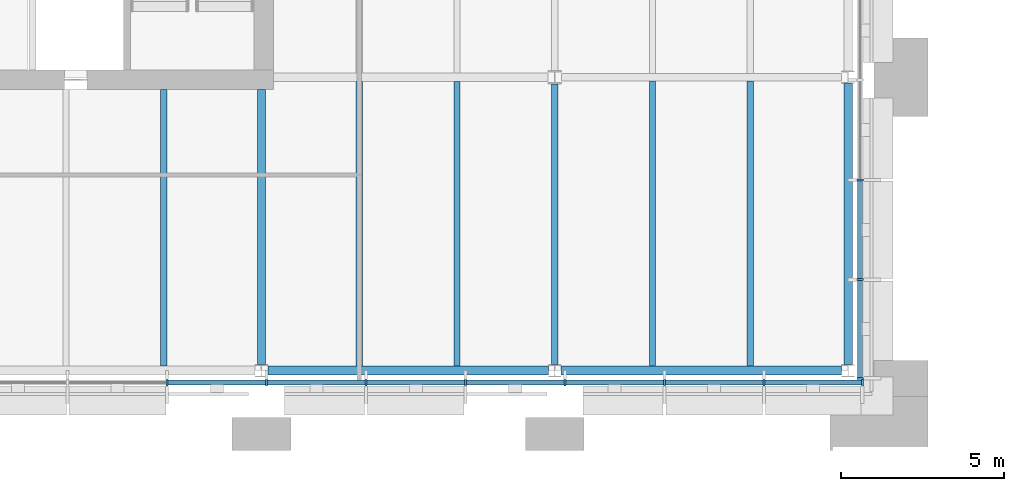
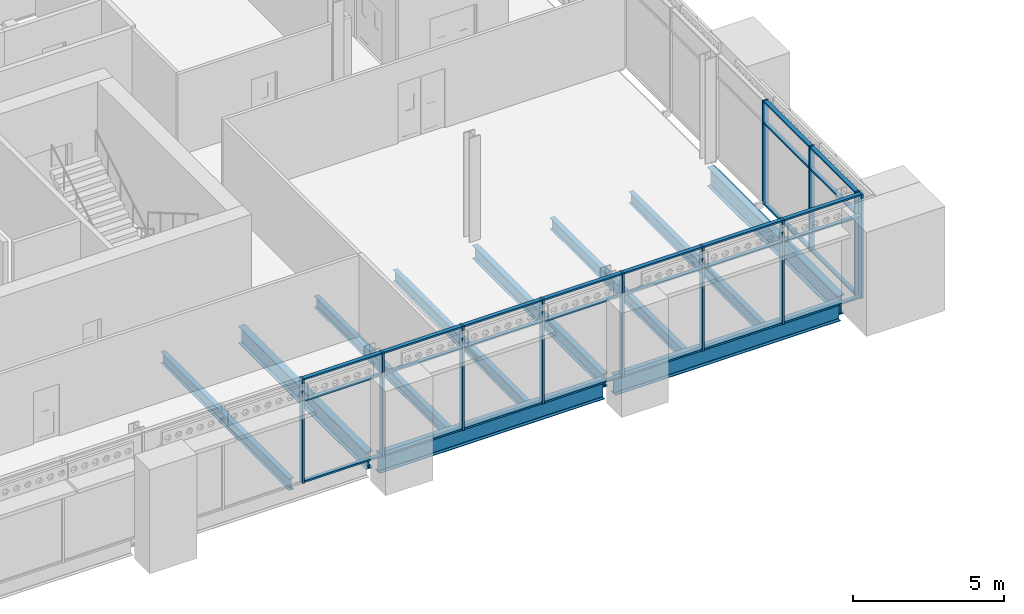
# One storey, part 10 of 54: 38 members, 10 beams, 2 elements without a shape of their own.
"""IFC4 building model written with IfcOpenShell, lengths in metres."""

from ifc_helpers import new_model, si_unit, direction, frame, origin, origin_2d, place, context, subcontext, project, spatial, rectangle, i_section, extrude, material, material_profile, profile_set, type_object, element, aggregate, save


model = new_model("IFC4")

# Units and contexts
model_context = context("Model", 3, precision=1e-05, world=origin(), true_north=direction((0.0, 1.0)))
body_context = subcontext(model_context, "Body", "Model", "MODEL_VIEW")
ifc_project = project(units=[si_unit("LENGTHUNIT", "METRE"), si_unit("AREAUNIT", "SQUARE_METRE"), si_unit("VOLUMEUNIT", "CUBIC_METRE"), si_unit("PLANEANGLEUNIT", "RADIAN"), si_unit("MASSUNIT", "GRAM", prefix="KILO")], contexts=[model_context])

# Site, building, storey
site_placement = place(None, origin())
site = spatial("IfcSite", under=ifc_project, at=site_placement, CompositionType="ELEMENT")
building_placement = place(site_placement, origin())
building = spatial("IfcBuilding", under=site, at=building_placement, Name="Baradari Gate Terminus", CompositionType="ELEMENT")
storey_placement = place(building_placement, frame((0.0, 0.0, 15.89990234375)))
storey = spatial("IfcBuildingStorey", under=building, at=storey_placement, Name="L03", CompositionType="ELEMENT", Elevation=15.89990234375)

# Curtain wall, members
ifc_material_1 = material(Name="Aluminium 6063-T6", Category="aluminium")
curtain_wall_type = type_object("IfcCurtainWallType", Name="Curtain wall CW-1 block unitised, zone L02-L05", PredefinedType="NOTDEFINED", material=ifc_material_1)
curtain_wall_1_placement = place(storey_placement, origin())
curtain_wall_1 = element("IfcCurtainWall", 1, at=curtain_wall_1_placement, inside=storey, type_object=curtain_wall_type, Name="Curtain wall CW-1 Operations block S face L03", PredefinedType="NOTDEFINED")
ifc_material_2 = material(Name="Aluminium 6063-T6", Category="aluminium")
ifc_material_profile_1 = material_profile(ifc_material_2, rectangle(XDim=0.199951171875, YDim=0.06494140625, at=origin_2d()), Name="CM-1 65X200")
ifc_profile_set_1 = profile_set([ifc_material_profile_1], Name="Aluminium 6063-T6")
member_type_1 = type_object("IfcMemberType", Name="Curtain wall mullion CM-1 65x200", PredefinedType="MULLION", material=ifc_profile_set_1)
member_1_placement = place(storey_placement, frame((42.1044921875, 116.6298828125, 0.0), z_axis=(0.0, 0.0, 1.0), x_axis=(0.0, 1.0, 0.0)))
member_1 = element("IfcMember", 2, at=member_1_placement, type_object=member_type_1, Name="CW-1 mullion 12", PredefinedType="MULLION", context=body_context, shape_type="SweptSolid", body=[
    extrude(rectangle(XDim=0.199951171875, YDim=0.06494140625, at=origin_2d()), origin(), (0.0, 0.0, 1.0), 4.2001953125),
])
member_2_placement = place(storey_placement, frame((45.15673828125, 116.6298828125, 0.0), z_axis=(0.0, 0.0, 1.0), x_axis=(0.0, 1.0, 0.0)))
member_2 = element("IfcMember", 3, at=member_2_placement, type_object=member_type_1, Name="CW-1 mullion 13", PredefinedType="MULLION", context=body_context, shape_type="SweptSolid", body=[
    extrude(rectangle(XDim=0.199951171875, YDim=0.06494140625, at=origin_2d()), origin(), (0.0, 0.0, 1.0), 4.2001953125),
])
member_3_placement = place(storey_placement, frame((48.208984375, 116.6298828125, 0.0), z_axis=(0.0, 0.0, 1.0), x_axis=(0.0, 1.0, 0.0)))
member_3 = element("IfcMember", 4, at=member_3_placement, type_object=member_type_1, Name="CW-1 mullion 14", PredefinedType="MULLION", context=body_context, shape_type="SweptSolid", body=[
    extrude(rectangle(XDim=0.199951171875, YDim=0.06494140625, at=origin_2d()), origin(), (0.0, 0.0, 1.0), 4.2001953125),
])
member_4_placement = place(storey_placement, frame((51.26123046875, 116.6298828125, 0.0), z_axis=(0.0, 0.0, 1.0), x_axis=(0.0, 1.0, 0.0)))
member_4 = element("IfcMember", 5, at=member_4_placement, type_object=member_type_1, Name="CW-1 mullion 15", PredefinedType="MULLION", context=body_context, shape_type="SweptSolid", body=[
    extrude(rectangle(XDim=0.199951171875, YDim=0.06494140625, at=origin_2d()), origin(), (0.0, 0.0, 1.0), 4.2001953125),
])
member_5_placement = place(storey_placement, frame((54.313232421875, 116.6298828125, 0.0), z_axis=(0.0, 0.0, 1.0), x_axis=(0.0, 1.0, 0.0)))
member_5 = element("IfcMember", 6, at=member_5_placement, type_object=member_type_1, Name="CW-1 mullion 16", PredefinedType="MULLION", context=body_context, shape_type="SweptSolid", body=[
    extrude(rectangle(XDim=0.199951171875, YDim=0.06494140625, at=origin_2d()), origin(), (0.0, 0.0, 1.0), 4.2001953125),
])
member_6_placement = place(storey_placement, frame((57.365478515625, 116.6298828125, 0.0), z_axis=(0.0, 0.0, 1.0), x_axis=(0.0, 1.0, 0.0)))
member_6 = element("IfcMember", 7, at=member_6_placement, type_object=member_type_1, Name="CW-1 mullion 17", PredefinedType="MULLION", context=body_context, shape_type="SweptSolid", body=[
    extrude(rectangle(XDim=0.199951171875, YDim=0.06494140625, at=origin_2d()), origin(), (0.0, 0.0, 1.0), 4.2001953125),
])
member_7_placement = place(storey_placement, frame((60.417724609375, 116.6298828125, 0.0), z_axis=(0.0, 0.0, 1.0), x_axis=(0.0, 1.0, 0.0)))
member_7 = element("IfcMember", 8, at=member_7_placement, type_object=member_type_1, Name="CW-1 mullion 18", PredefinedType="MULLION", context=body_context, shape_type="SweptSolid", body=[
    extrude(rectangle(XDim=0.199951171875, YDim=0.06494140625, at=origin_2d()), origin(), (0.0, 0.0, 1.0), 4.2001953125),
])
member_8_placement = place(storey_placement, frame((63.4375, 116.6298828125, 0.0), z_axis=(0.0, 0.0, 1.0), x_axis=(0.0, 1.0, 0.0)))
member_8 = element("IfcMember", 9, at=member_8_placement, type_object=member_type_1, Name="CW-1 mullion 19", PredefinedType="MULLION", context=body_context, shape_type="SweptSolid", body=[
    extrude(rectangle(XDim=0.199951171875, YDim=0.06494140625, at=origin_2d()), origin(), (0.0, 0.0, 1.0), 4.2001953125),
])

curtain_wall_2_placement = place(storey_placement, origin())
curtain_wall_2 = element("IfcCurtainWall", 10, at=curtain_wall_2_placement, inside=storey, type_object=curtain_wall_type, Name="Curtain wall CW-1 Operations block E face L03", PredefinedType="NOTDEFINED")
member_9_placement = place(storey_placement, frame((63.3701171875, 116.762451171875, 0.0), z_axis=(0.0, 0.0, 1.0), x_axis=(-1.0, 0.0, 0.0)))
member_9 = element("IfcMember", 11, at=member_9_placement, type_object=member_type_1, Name="CW-1 mullion 1", PredefinedType="MULLION", context=body_context, shape_type="SweptSolid", body=[
    extrude(rectangle(XDim=0.199951171875, YDim=0.06494140625, at=origin_2d()), origin(), (0.0, 0.0, 1.0), 4.2001953125),
])
member_10_placement = place(storey_placement, frame((63.3701171875, 119.7900390625, 0.0), z_axis=(0.0, 0.0, 1.0), x_axis=(-1.0, 0.0, 0.0)))
member_10 = element("IfcMember", 12, at=member_10_placement, type_object=member_type_1, Name="CW-1 mullion 2", PredefinedType="MULLION", context=body_context, shape_type="SweptSolid", body=[
    extrude(rectangle(XDim=0.199951171875, YDim=0.06494140625, at=origin_2d()), origin(), (0.0, 0.0, 1.0), 4.2001953125),
])
member_11_placement = place(storey_placement, frame((63.3701171875, 122.85009765625, 0.0), z_axis=(0.0, 0.0, 1.0), x_axis=(-1.0, 0.0, 0.0)))
member_11 = element("IfcMember", 13, at=member_11_placement, type_object=member_type_1, Name="CW-1 mullion 3", PredefinedType="MULLION", context=body_context, shape_type="SweptSolid", body=[
    extrude(rectangle(XDim=0.199951171875, YDim=0.06494140625, at=origin_2d()), origin(), (0.0, 0.0, 1.0), 4.2001953125),
])

# Member
ifc_material_3 = material(Name="Aluminium 6063-T6", Category="aluminium")
ifc_material_profile_2 = material_profile(ifc_material_3, rectangle(XDim=0.14990234375, YDim=0.06494140625, at=origin_2d()), Name="CT-1 65X150")
ifc_profile_set_2 = profile_set([ifc_material_profile_2], Name="Aluminium 6063-T6")
member_type_2 = type_object("IfcMemberType", Name="Curtain wall transom CT-1 65x150", PredefinedType="USERDEFINED", material=ifc_profile_set_2)
member_12_placement = place(storey_placement, frame((42.136962890625, 116.6298828125, 0.03271484375), z_axis=(1.0, 0.0, 0.0), x_axis=(0.0, 1.0, 0.0)))
member_12 = element("IfcMember", 14, at=member_12_placement, type_object=member_type_2, Name="CW-1 transom 12.1", ObjectType="TRANSOM", PredefinedType="USERDEFINED", context=body_context, shape_type="SweptSolid", body=[
    extrude(rectangle(XDim=0.14990234375, YDim=0.06494140625, at=origin_2d()), origin(), (0.0, 0.0, 1.0), 2.9873046875),
])

member_13_placement = place(storey_placement, frame((42.136962890625, 116.6298828125, 3.300048828125), z_axis=(1.0, 0.0, 0.0), x_axis=(0.0, 1.0, 0.0)))
member_13 = element("IfcMember", 15, at=member_13_placement, type_object=member_type_2, Name="CW-1 transom 12.2", ObjectType="TRANSOM", PredefinedType="USERDEFINED", context=body_context, shape_type="SweptSolid", body=[
    extrude(rectangle(XDim=0.14990234375, YDim=0.06494140625, at=origin_2d()), origin(), (0.0, 0.0, 1.0), 2.9873046875),
])

member_14_placement = place(storey_placement, frame((42.136962890625, 116.6298828125, 4.16748046875), z_axis=(1.0, 0.0, 0.0), x_axis=(0.0, 1.0, 0.0)))
member_14 = element("IfcMember", 16, at=member_14_placement, type_object=member_type_2, Name="CW-1 transom 12.3", ObjectType="TRANSOM", PredefinedType="USERDEFINED", context=body_context, shape_type="SweptSolid", body=[
    extrude(rectangle(XDim=0.14990234375, YDim=0.06494140625, at=origin_2d()), origin(), (0.0, 0.0, 1.0), 2.9873046875),
])

member_15_placement = place(storey_placement, frame((45.189208984375, 116.6298828125, 0.03271484375), z_axis=(1.0, 0.0, 0.0), x_axis=(0.0, 1.0, 0.0)))
member_15 = element("IfcMember", 17, at=member_15_placement, type_object=member_type_2, Name="CW-1 transom 13.1", ObjectType="TRANSOM", PredefinedType="USERDEFINED", context=body_context, shape_type="SweptSolid", body=[
    extrude(rectangle(XDim=0.14990234375, YDim=0.06494140625, at=origin_2d()), origin(), (0.0, 0.0, 1.0), 2.987060546875),
])

member_16_placement = place(storey_placement, frame((45.189208984375, 116.6298828125, 3.300048828125), z_axis=(1.0, 0.0, 0.0), x_axis=(0.0, 1.0, 0.0)))
member_16 = element("IfcMember", 18, at=member_16_placement, type_object=member_type_2, Name="CW-1 transom 13.2", ObjectType="TRANSOM", PredefinedType="USERDEFINED", context=body_context, shape_type="SweptSolid", body=[
    extrude(rectangle(XDim=0.14990234375, YDim=0.06494140625, at=origin_2d()), origin(), (0.0, 0.0, 1.0), 2.987060546875),
])

member_17_placement = place(storey_placement, frame((45.189208984375, 116.6298828125, 4.16748046875), z_axis=(1.0, 0.0, 0.0), x_axis=(0.0, 1.0, 0.0)))
member_17 = element("IfcMember", 19, at=member_17_placement, type_object=member_type_2, Name="CW-1 transom 13.3", ObjectType="TRANSOM", PredefinedType="USERDEFINED", context=body_context, shape_type="SweptSolid", body=[
    extrude(rectangle(XDim=0.14990234375, YDim=0.06494140625, at=origin_2d()), origin(), (0.0, 0.0, 1.0), 2.987060546875),
])

member_18_placement = place(storey_placement, frame((48.241455078125, 116.6298828125, 0.03271484375), z_axis=(1.0, 0.0, 0.0), x_axis=(0.0, 1.0, 0.0)))
member_18 = element("IfcMember", 20, at=member_18_placement, type_object=member_type_2, Name="CW-1 transom 14.1", ObjectType="TRANSOM", PredefinedType="USERDEFINED", context=body_context, shape_type="SweptSolid", body=[
    extrude(rectangle(XDim=0.14990234375, YDim=0.06494140625, at=origin_2d()), origin(), (0.0, 0.0, 1.0), 2.987060546875),
])

member_19_placement = place(storey_placement, frame((48.241455078125, 116.6298828125, 3.300048828125), z_axis=(1.0, 0.0, 0.0), x_axis=(0.0, 1.0, 0.0)))
member_19 = element("IfcMember", 21, at=member_19_placement, type_object=member_type_2, Name="CW-1 transom 14.2", ObjectType="TRANSOM", PredefinedType="USERDEFINED", context=body_context, shape_type="SweptSolid", body=[
    extrude(rectangle(XDim=0.14990234375, YDim=0.06494140625, at=origin_2d()), origin(), (0.0, 0.0, 1.0), 2.987060546875),
])

member_20_placement = place(storey_placement, frame((48.241455078125, 116.6298828125, 4.16748046875), z_axis=(1.0, 0.0, 0.0), x_axis=(0.0, 1.0, 0.0)))
member_20 = element("IfcMember", 22, at=member_20_placement, type_object=member_type_2, Name="CW-1 transom 14.3", ObjectType="TRANSOM", PredefinedType="USERDEFINED", context=body_context, shape_type="SweptSolid", body=[
    extrude(rectangle(XDim=0.14990234375, YDim=0.06494140625, at=origin_2d()), origin(), (0.0, 0.0, 1.0), 2.987060546875),
])

member_21_placement = place(storey_placement, frame((51.293701171875, 116.6298828125, 0.03271484375), z_axis=(1.0, 0.0, 0.0), x_axis=(0.0, 1.0, 0.0)))
member_21 = element("IfcMember", 23, at=member_21_placement, type_object=member_type_2, Name="CW-1 transom 15.1", ObjectType="TRANSOM", PredefinedType="USERDEFINED", context=body_context, shape_type="SweptSolid", body=[
    extrude(rectangle(XDim=0.14990234375, YDim=0.06494140625, at=origin_2d()), origin(), (0.0, 0.0, 1.0), 2.987060546875),
])

member_22_placement = place(storey_placement, frame((51.293701171875, 116.6298828125, 3.300048828125), z_axis=(1.0, 0.0, 0.0), x_axis=(0.0, 1.0, 0.0)))
member_22 = element("IfcMember", 24, at=member_22_placement, type_object=member_type_2, Name="CW-1 transom 15.2", ObjectType="TRANSOM", PredefinedType="USERDEFINED", context=body_context, shape_type="SweptSolid", body=[
    extrude(rectangle(XDim=0.14990234375, YDim=0.06494140625, at=origin_2d()), origin(), (0.0, 0.0, 1.0), 2.987060546875),
])

member_23_placement = place(storey_placement, frame((51.293701171875, 116.6298828125, 4.16748046875), z_axis=(1.0, 0.0, 0.0), x_axis=(0.0, 1.0, 0.0)))
member_23 = element("IfcMember", 25, at=member_23_placement, type_object=member_type_2, Name="CW-1 transom 15.3", ObjectType="TRANSOM", PredefinedType="USERDEFINED", context=body_context, shape_type="SweptSolid", body=[
    extrude(rectangle(XDim=0.14990234375, YDim=0.06494140625, at=origin_2d()), origin(), (0.0, 0.0, 1.0), 2.987060546875),
])

member_24_placement = place(storey_placement, frame((54.345947265625, 116.6298828125, 0.03271484375), z_axis=(1.0, 0.0, 0.0), x_axis=(0.0, 1.0, 0.0)))
member_24 = element("IfcMember", 26, at=member_24_placement, type_object=member_type_2, Name="CW-1 transom 16.1", ObjectType="TRANSOM", PredefinedType="USERDEFINED", context=body_context, shape_type="SweptSolid", body=[
    extrude(rectangle(XDim=0.14990234375, YDim=0.06494140625, at=origin_2d()), origin(), (0.0, 0.0, 1.0), 2.987060546875),
])

member_25_placement = place(storey_placement, frame((54.345947265625, 116.6298828125, 3.300048828125), z_axis=(1.0, 0.0, 0.0), x_axis=(0.0, 1.0, 0.0)))
member_25 = element("IfcMember", 27, at=member_25_placement, type_object=member_type_2, Name="CW-1 transom 16.2", ObjectType="TRANSOM", PredefinedType="USERDEFINED", context=body_context, shape_type="SweptSolid", body=[
    extrude(rectangle(XDim=0.14990234375, YDim=0.06494140625, at=origin_2d()), origin(), (0.0, 0.0, 1.0), 2.987060546875),
])

member_26_placement = place(storey_placement, frame((54.345947265625, 116.6298828125, 4.16748046875), z_axis=(1.0, 0.0, 0.0), x_axis=(0.0, 1.0, 0.0)))
member_26 = element("IfcMember", 28, at=member_26_placement, type_object=member_type_2, Name="CW-1 transom 16.3", ObjectType="TRANSOM", PredefinedType="USERDEFINED", context=body_context, shape_type="SweptSolid", body=[
    extrude(rectangle(XDim=0.14990234375, YDim=0.06494140625, at=origin_2d()), origin(), (0.0, 0.0, 1.0), 2.987060546875),
])

member_27_placement = place(storey_placement, frame((57.39794921875, 116.6298828125, 0.03271484375), z_axis=(1.0, 0.0, 0.0), x_axis=(0.0, 1.0, 0.0)))
member_27 = element("IfcMember", 29, at=member_27_placement, type_object=member_type_2, Name="CW-1 transom 17.1", ObjectType="TRANSOM", PredefinedType="USERDEFINED", context=body_context, shape_type="SweptSolid", body=[
    extrude(rectangle(XDim=0.14990234375, YDim=0.06494140625, at=origin_2d()), origin(), (0.0, 0.0, 1.0), 2.9873046875),
])

member_28_placement = place(storey_placement, frame((57.39794921875, 116.6298828125, 3.300048828125), z_axis=(1.0, 0.0, 0.0), x_axis=(0.0, 1.0, 0.0)))
member_28 = element("IfcMember", 30, at=member_28_placement, type_object=member_type_2, Name="CW-1 transom 17.2", ObjectType="TRANSOM", PredefinedType="USERDEFINED", context=body_context, shape_type="SweptSolid", body=[
    extrude(rectangle(XDim=0.14990234375, YDim=0.06494140625, at=origin_2d()), origin(), (0.0, 0.0, 1.0), 2.9873046875),
])

member_29_placement = place(storey_placement, frame((57.39794921875, 116.6298828125, 4.16748046875), z_axis=(1.0, 0.0, 0.0), x_axis=(0.0, 1.0, 0.0)))
member_29 = element("IfcMember", 31, at=member_29_placement, type_object=member_type_2, Name="CW-1 transom 17.3", ObjectType="TRANSOM", PredefinedType="USERDEFINED", context=body_context, shape_type="SweptSolid", body=[
    extrude(rectangle(XDim=0.14990234375, YDim=0.06494140625, at=origin_2d()), origin(), (0.0, 0.0, 1.0), 2.9873046875),
])

member_30_placement = place(storey_placement, frame((60.4501953125, 116.6298828125, 0.03271484375), z_axis=(1.0, 0.0, 0.0), x_axis=(0.0, 1.0, 0.0)))
member_30 = element("IfcMember", 32, at=member_30_placement, type_object=member_type_2, Name="CW-1 transom 18.1", ObjectType="TRANSOM", PredefinedType="USERDEFINED", context=body_context, shape_type="SweptSolid", body=[
    extrude(rectangle(XDim=0.14990234375, YDim=0.06494140625, at=origin_2d()), origin(), (0.0, 0.0, 1.0), 2.954833984375),
])

member_31_placement = place(storey_placement, frame((60.4501953125, 116.6298828125, 3.300048828125), z_axis=(1.0, 0.0, 0.0), x_axis=(0.0, 1.0, 0.0)))
member_31 = element("IfcMember", 33, at=member_31_placement, type_object=member_type_2, Name="CW-1 transom 18.2", ObjectType="TRANSOM", PredefinedType="USERDEFINED", context=body_context, shape_type="SweptSolid", body=[
    extrude(rectangle(XDim=0.14990234375, YDim=0.06494140625, at=origin_2d()), origin(), (0.0, 0.0, 1.0), 2.954833984375),
])

member_32_placement = place(storey_placement, frame((60.4501953125, 116.6298828125, 4.16748046875), z_axis=(1.0, 0.0, 0.0), x_axis=(0.0, 1.0, 0.0)))
member_32 = element("IfcMember", 34, at=member_32_placement, type_object=member_type_2, Name="CW-1 transom 18.3", ObjectType="TRANSOM", PredefinedType="USERDEFINED", context=body_context, shape_type="SweptSolid", body=[
    extrude(rectangle(XDim=0.14990234375, YDim=0.06494140625, at=origin_2d()), origin(), (0.0, 0.0, 1.0), 2.954833984375),
])

aggregate(curtain_wall_1, [member_1, member_2, member_3, member_4, member_5, member_6, member_7, member_8, member_12, member_13, member_14, member_15, member_16, member_17, member_18, member_19, member_20, member_21, member_22, member_23, member_24, member_25, member_26, member_27, member_28, member_29, member_30, member_31, member_32])

member_33_placement = place(storey_placement, frame((63.3701171875, 116.794921875, 0.03271484375), z_axis=(0.0, 1.0, 0.0), x_axis=(-1.0, 0.0, 0.0)))
member_33 = element("IfcMember", 35, at=member_33_placement, type_object=member_type_2, Name="CW-1 transom 1.1", ObjectType="TRANSOM", PredefinedType="USERDEFINED", context=body_context, shape_type="SweptSolid", body=[
    extrude(rectangle(XDim=0.14990234375, YDim=0.06494140625, at=origin_2d()), origin(), (0.0, 0.0, 1.0), 2.962646484375),
])

member_34_placement = place(storey_placement, frame((63.3701171875, 116.794921875, 3.300048828125), z_axis=(0.0, 1.0, 0.0), x_axis=(-1.0, 0.0, 0.0)))
member_34 = element("IfcMember", 36, at=member_34_placement, type_object=member_type_2, Name="CW-1 transom 1.2", ObjectType="TRANSOM", PredefinedType="USERDEFINED", context=body_context, shape_type="SweptSolid", body=[
    extrude(rectangle(XDim=0.14990234375, YDim=0.06494140625, at=origin_2d()), origin(), (0.0, 0.0, 1.0), 2.962646484375),
])

member_35_placement = place(storey_placement, frame((63.3701171875, 116.794921875, 4.16748046875), z_axis=(0.0, 1.0, 0.0), x_axis=(-1.0, 0.0, 0.0)))
member_35 = element("IfcMember", 37, at=member_35_placement, type_object=member_type_2, Name="CW-1 transom 1.3", ObjectType="TRANSOM", PredefinedType="USERDEFINED", context=body_context, shape_type="SweptSolid", body=[
    extrude(rectangle(XDim=0.14990234375, YDim=0.06494140625, at=origin_2d()), origin(), (0.0, 0.0, 1.0), 2.962646484375),
])

member_36_placement = place(storey_placement, frame((63.3701171875, 119.822509765625, 0.03271484375), z_axis=(0.0, 1.0, 0.0), x_axis=(-1.0, 0.0, 0.0)))
member_36 = element("IfcMember", 38, at=member_36_placement, type_object=member_type_2, Name="CW-1 transom 2.1", ObjectType="TRANSOM", PredefinedType="USERDEFINED", context=body_context, shape_type="SweptSolid", body=[
    extrude(rectangle(XDim=0.14990234375, YDim=0.06494140625, at=origin_2d()), origin(), (0.0, 0.0, 1.0), 2.994873046875),
])

member_37_placement = place(storey_placement, frame((63.3701171875, 119.822509765625, 3.300048828125), z_axis=(0.0, 1.0, 0.0), x_axis=(-1.0, 0.0, 0.0)))
member_37 = element("IfcMember", 39, at=member_37_placement, type_object=member_type_2, Name="CW-1 transom 2.2", ObjectType="TRANSOM", PredefinedType="USERDEFINED", context=body_context, shape_type="SweptSolid", body=[
    extrude(rectangle(XDim=0.14990234375, YDim=0.06494140625, at=origin_2d()), origin(), (0.0, 0.0, 1.0), 2.994873046875),
])

member_38_placement = place(storey_placement, frame((63.3701171875, 119.822509765625, 4.16748046875), z_axis=(0.0, 1.0, 0.0), x_axis=(-1.0, 0.0, 0.0)))
member_38 = element("IfcMember", 40, at=member_38_placement, type_object=member_type_2, Name="CW-1 transom 2.3", ObjectType="TRANSOM", PredefinedType="USERDEFINED", context=body_context, shape_type="SweptSolid", body=[
    extrude(rectangle(XDim=0.14990234375, YDim=0.06494140625, at=origin_2d()), origin(), (0.0, 0.0, 1.0), 2.994873046875),
])

aggregate(curtain_wall_2, [member_9, member_10, member_11, member_33, member_34, member_35, member_36, member_37, member_38])

# Beams
ifc_material_4 = material(Name="Steel S355", Category="steel")
ifc_material_profile_3 = material_profile(ifc_material_4, i_section(OverallWidth=0.25439453125, OverallDepth=0.6875, WebThickness=0.01318359375, FlangeThickness=0.02099609375, FilletRadius=0.01513671875, at=origin_2d()), Name="UB 686x254x152")
ifc_profile_set_3 = profile_set([ifc_material_profile_3], Name="Steel S355")
beam_type_1 = type_object("IfcBeamType", Name="Operations block coupling beam B26 UB 686x254x152", PredefinedType="BEAM", material=ifc_profile_set_3)
beam_1_placement = place(storey_placement, frame((45.0, 117.1904296875, -0.4736328125), z_axis=(0.0, 1.0, 0.0), x_axis=(-1.0, 0.0, 0.0)))
element("IfcBeam", 41, at=beam_1_placement, inside=storey, type_object=beam_type_1, Name="Operations block coupling beam B26 6:117.191-125.625 L03", PredefinedType="BEAM", context=body_context, shape_type="SweptSolid", body=[
    extrude(i_section(OverallWidth=0.25439453125, OverallDepth=0.6875, WebThickness=0.01318359375, FlangeThickness=0.02099609375, FilletRadius=0.01513671875, at=origin_2d()), origin(), (0.0, 0.0, 1.0), 8.4345703125),
])
ifc_material_5 = material(Name="Steel S355", Category="steel")
ifc_material_profile_4 = material_profile(ifc_material_5, i_section(OverallWidth=0.210693359375, OverallDepth=0.53955078125, WebThickness=0.01171875, FlangeThickness=0.018798828125, FilletRadius=0.0126953125, at=origin_2d()), Name="UB 533x210x109")
ifc_profile_set_4 = profile_set([ifc_material_profile_4], Name="Steel S355")
beam_type_2 = type_object("IfcBeamType", Name="Operations block girder B29 UB 533x210x109", PredefinedType="BEAM", material=ifc_profile_set_4)
beam_2_placement = place(storey_placement, frame((54.0, 117.1904296875, -0.399658203125), z_axis=(0.0, 1.0, 0.0), x_axis=(-1.0, 0.0, 0.0)))
element("IfcBeam", 42, at=beam_2_placement, inside=storey, type_object=beam_type_2, Name="Operations block girder B29 7:117.191-125.797 L03", PredefinedType="BEAM", context=body_context, shape_type="SweptSolid", body=[
    extrude(i_section(OverallWidth=0.210693359375, OverallDepth=0.53955078125, WebThickness=0.01171875, FlangeThickness=0.018798828125, FilletRadius=0.0126953125, at=origin_2d()), origin(), (0.0, 0.0, 1.0), 8.6064453125),
])
ifc_material_6 = material(Name="Steel S355", Category="steel")
ifc_material_profile_5 = material_profile(ifc_material_6, i_section(OverallWidth=0.2666015625, OverallDepth=0.76220703125, WebThickness=0.014404296875, FlangeThickness=0.021484375, FilletRadius=0.0166015625, at=origin_2d()), Name="UB 762x267x173")
ifc_profile_set_5 = profile_set([ifc_material_profile_5], Name="Steel S355")
beam_type_3 = type_object("IfcBeamType", Name="Operations block moment frame beam B24 UB 762x267x173", PredefinedType="BEAM", material=ifc_profile_set_5)
for number, where, z_axis, x_axis, name in (
    (43, (45.197509765625, 117.0, -0.510986328125), (1.0, 0.0, 0.0), (0.0, 1.0, 0.0), "Operations block moment frame beam B24 P:45.197-53.803 L03"),
    (44, (54.197509765625, 117.0, -0.510986328125), (1.0, 0.0, 0.0), (0.0, 1.0, 0.0), "Operations block moment frame beam B24 P:54.197-62.803 L03"),
):
    element("IfcBeam", number, at=place(storey_placement, frame(where, z_axis=z_axis, x_axis=x_axis)), inside=storey, type_object=beam_type_3, Name=name, PredefinedType="BEAM", context=body_context, shape_type="SweptSolid", body=[
        extrude(i_section(OverallWidth=0.2666015625, OverallDepth=0.76220703125, WebThickness=0.014404296875, FlangeThickness=0.021484375, FilletRadius=0.0166015625, at=origin_2d()), origin(), (0.0, 0.0, 1.0), 8.60498046875),
    ])
beam_3_placement = place(storey_placement, frame((63.0, 117.1904296875, -0.510986328125), z_axis=(0.0, 1.0, 0.0), x_axis=(-1.0, 0.0, 0.0)))
element("IfcBeam", 45, at=beam_3_placement, inside=storey, type_object=beam_type_3, Name="Operations block moment frame beam B24 8:117.191-125.809 L03", PredefinedType="BEAM", context=body_context, shape_type="SweptSolid", body=[
    extrude(i_section(OverallWidth=0.2666015625, OverallDepth=0.76220703125, WebThickness=0.014404296875, FlangeThickness=0.021484375, FilletRadius=0.0166015625, at=origin_2d()), origin(), (0.0, 0.0, 1.0), 8.619140625),
])
ifc_material_7 = material(Name="Steel S355", Category="steel")
ifc_material_profile_6 = material_profile(ifc_material_7, i_section(OverallWidth=0.18994140625, OverallDepth=0.453369140625, WebThickness=0.008544921875, FlangeThickness=0.0126953125, FilletRadius=0.01025390625, at=origin_2d()), Name="UB 457x191x67")
ifc_profile_set_6 = profile_set([ifc_material_profile_6], Name="Steel S355")
beam_type_4 = type_object("IfcBeamType", Name="Operations block secondary beam B28 UB 457x191x67", PredefinedType="BEAM", material=ifc_profile_set_6)
beam_4_placement = place(storey_placement, frame((42.0, 117.13330078125, -0.356689453125), z_axis=(0.0, 1.0, 0.0), x_axis=(-1.0, 0.0, 0.0)))
element("IfcBeam", 46, at=beam_4_placement, inside=storey, type_object=beam_type_4, Name="Operations block secondary beam B28 42:117.133-125.625 L03", PredefinedType="BEAM", context=body_context, shape_type="SweptSolid", body=[
    extrude(i_section(OverallWidth=0.18994140625, OverallDepth=0.453369140625, WebThickness=0.008544921875, FlangeThickness=0.0126953125, FilletRadius=0.01025390625, at=origin_2d()), origin(), (0.0, 0.0, 1.0), 8.49169921875),
])
for number, where, z_axis, x_axis, name in (
    (47, (48.0, 117.13330078125, -0.356689453125), (0.0, 1.0, 0.0), (-1.0, 0.0, 0.0), "Operations block secondary beam B28 48:117.133-125.873 L03"),
    (48, (51.0, 117.13330078125, -0.356689453125), (0.0, 1.0, 0.0), (-1.0, 0.0, 0.0), "Operations block secondary beam B28 51:117.133-125.873 L03"),
):
    element("IfcBeam", number, at=place(storey_placement, frame(where, z_axis=z_axis, x_axis=x_axis)), inside=storey, type_object=beam_type_4, Name=name, PredefinedType="BEAM", context=body_context, shape_type="SweptSolid", body=[
        extrude(i_section(OverallWidth=0.18994140625, OverallDepth=0.453369140625, WebThickness=0.008544921875, FlangeThickness=0.0126953125, FilletRadius=0.01025390625, at=origin_2d()), origin(), (0.0, 0.0, 1.0), 8.739501953125),
    ])
for number, where, z_axis, x_axis, name in (
    (49, (57.0, 117.13330078125, -0.356689453125), (0.0, 1.0, 0.0), (-1.0, 0.0, 0.0), "Operations block secondary beam B28 57:117.133-125.885 L03"),
    (50, (60.0, 117.13330078125, -0.356689453125), (0.0, 1.0, 0.0), (-1.0, 0.0, 0.0), "Operations block secondary beam B28 60:117.133-125.885 L03"),
):
    element("IfcBeam", number, at=place(storey_placement, frame(where, z_axis=z_axis, x_axis=x_axis)), inside=storey, type_object=beam_type_4, Name=name, PredefinedType="BEAM", context=body_context, shape_type="SweptSolid", body=[
        extrude(i_section(OverallWidth=0.18994140625, OverallDepth=0.453369140625, WebThickness=0.008544921875, FlangeThickness=0.0126953125, FilletRadius=0.01025390625, at=origin_2d()), origin(), (0.0, 0.0, 1.0), 8.752197265625),
    ])

save(model, "model.ifc")
